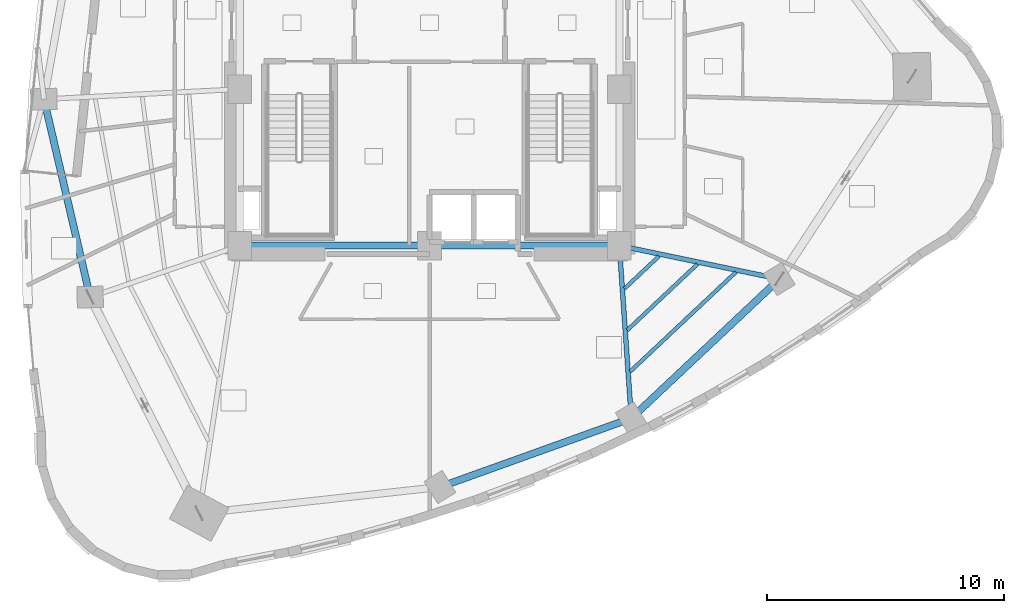
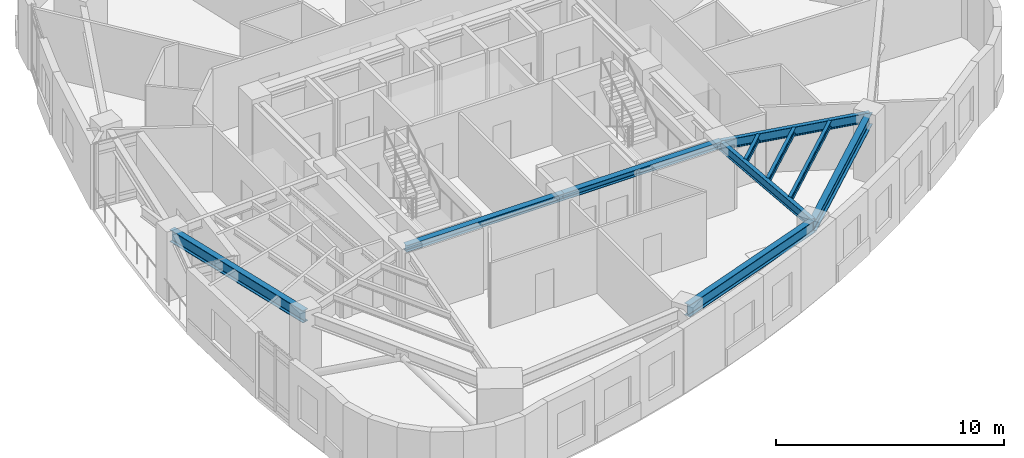
# One storey, part 3 of 16: 10 beams.
"""IFC4 building model written with IfcOpenShell, lengths in metres."""

from ifc_helpers import new_model, si_unit, direction, frame, origin, origin_2d, place, context, subcontext, project, spatial, i_section, extrude, material, material_profile, profile_set, type_object, element, save


model = new_model("IFC4")

# Units and contexts
model_context = context("Model", 3, precision=1e-05, world=origin(), true_north=direction((0.0, 1.0)))
body_context = subcontext(model_context, "Body", "Model", "MODEL_VIEW")
ifc_project = project(units=[si_unit("LENGTHUNIT", "METRE"), si_unit("AREAUNIT", "SQUARE_METRE"), si_unit("VOLUMEUNIT", "CUBIC_METRE"), si_unit("PLANEANGLEUNIT", "RADIAN"), si_unit("MASSUNIT", "GRAM", prefix="KILO")], contexts=[model_context])

# Site, building, storey
site_placement = place(None, origin())
site = spatial("IfcSite", under=ifc_project, at=site_placement, CompositionType="ELEMENT")
building_placement = place(site_placement, origin())
building = spatial("IfcBuilding", under=site, at=building_placement, Name="Ndelora Gate Hotel", CompositionType="ELEMENT")
storey_placement = place(building_placement, frame((0.0, 0.0, 97.25)))
storey = spatial("IfcBuildingStorey", under=building, at=storey_placement, Name="L23", CompositionType="ELEMENT", Elevation=97.25)

# Beams
ifc_material = material(Name="Steel S355", Category="steel")
ifc_material_profile_1 = material_profile(ifc_material, i_section(OverallWidth=0.300048828125, OverallDepth=0.360107421875, WebThickness=0.012451171875, FlangeThickness=0.0224609375, FilletRadius=0.027099609375, at=origin_2d()), Name="HEB 360")
ifc_profile_set_1 = profile_set([ifc_material_profile_1], Name="Steel S355")
beam_type_1 = type_object("IfcBeamType", Name="BM-CORE-360", PredefinedType="BEAM", material=ifc_profile_set_1)
for number, where, z_axis, x_axis, name in (
    (1, (-8.0, -6.60009765625, 3.320068359375), (1.0, 0.0, 0.0), (0.0, 1.0, 0.0), "L23 Core Tie Girder CC1-CC2"),
    (2, (0.0, -6.60009765625, 3.320068359375), (1.0, 0.0, 0.0), (0.0, 1.0, 0.0), "L23 Core Tie Girder CC2-CC3"),
):
    element("IfcBeam", number, at=place(storey_placement, frame(where, z_axis=z_axis, x_axis=x_axis)), inside=storey, type_object=beam_type_1, Name=name, PredefinedType="BEAM", context=body_context, shape_type="SweptSolid", body=[
        extrude(i_section(OverallWidth=0.300048828125, OverallDepth=0.360107421875, WebThickness=0.012451171875, FlangeThickness=0.0224609375, FilletRadius=0.027099609375, at=origin_2d()), origin(), (0.0, 0.0, 1.0), 8.0),
    ])
ifc_material_profile_2 = material_profile(ifc_material, i_section(OverallWidth=0.159912109375, OverallDepth=0.330078125, WebThickness=0.007568359375, FlangeThickness=0.011474609375, FilletRadius=0.01806640625, at=origin_2d()), Name="IPE 330")
ifc_profile_set_2 = profile_set([ifc_material_profile_2], Name="Steel S355")
beam_type_2 = type_object("IfcBeamType", Name="BM-JST-330", PredefinedType="JOIST", material=ifc_profile_set_2)
beam_1_placement = place(storey_placement, frame((8.211181640625, -8.4169921875, 3.3349609375), z_axis=(0.728414088998, 0.685137150466, 0.0), x_axis=(-0.685137150466, 0.728414088998, 0.0)))
element("IfcBeam", 3, at=beam_1_placement, inside=storey, type_object=beam_type_2, Name="L23 Secondary Composite Floor Joist IN-7", PredefinedType="JOIST", context=body_context, shape_type="SweptSolid", body=[
    extrude(i_section(OverallWidth=0.159912109375, OverallDepth=0.330078125, WebThickness=0.007568359375, FlangeThickness=0.011474609375, FilletRadius=0.01806640625, at=origin_2d()), origin(), (0.0, 0.0, 1.0), 2.00830078125),
])
beam_2_placement = place(storey_placement, frame((8.33251953125, -10.163818359375, 3.3349609375), z_axis=(0.728369245526, 0.685184823366, 0.0), x_axis=(-0.685184823366, 0.728369245526, 0.0)))
element("IfcBeam", 4, at=beam_2_placement, inside=storey, type_object=beam_type_2, Name="L23 Secondary Composite Floor Joist MID-7", PredefinedType="JOIST", context=body_context, shape_type="SweptSolid", body=[
    extrude(i_section(OverallWidth=0.159912109375, OverallDepth=0.330078125, WebThickness=0.007568359375, FlangeThickness=0.011474609375, FilletRadius=0.01806640625, at=origin_2d()), origin(), (0.0, 0.0, 1.0), 4.06494140625),
])
beam_3_placement = place(storey_placement, frame((8.45361328125, -11.910400390625, 3.3349609375), z_axis=(0.728393161111, 0.68515939959, 0.0), x_axis=(-0.68515939959, 0.728393161111, 0.0)))
element("IfcBeam", 5, at=beam_3_placement, inside=storey, type_object=beam_type_2, Name="L23 Secondary Composite Floor Joist OUT-7", PredefinedType="JOIST", context=body_context, shape_type="SweptSolid", body=[
    extrude(i_section(OverallWidth=0.159912109375, OverallDepth=0.330078125, WebThickness=0.007568359375, FlangeThickness=0.011474609375, FilletRadius=0.01806640625, at=origin_2d()), origin(), (0.0, 0.0, 1.0), 6.121337890625),
])
ifc_material_profile_3 = material_profile(ifc_material, i_section(OverallWidth=0.199951171875, OverallDepth=0.5, WebThickness=0.01025390625, FlangeThickness=0.01611328125, FilletRadius=0.02099609375, at=origin_2d()), Name="IPE 500")
ifc_profile_set_3 = profile_set([ifc_material_profile_3], Name="Steel S355")
beam_type_3 = type_object("IfcBeamType", Name="BM-RAD-500", PredefinedType="BEAM", material=ifc_profile_set_3)
beam_4_placement = place(storey_placement, frame((8.0, -6.60009765625, 3.25), z_axis=(0.069137444551, -0.997607144001, 0.0), x_axis=(0.997607144001, 0.069137444551, 0.0)))
element("IfcBeam", 6, at=beam_4_placement, inside=storey, type_object=beam_type_3, Name="L23 Radial Floor Girder 7", PredefinedType="BEAM", context=body_context, shape_type="SweptSolid", body=[
    extrude(i_section(OverallWidth=0.199951171875, OverallDepth=0.5, WebThickness=0.01025390625, FlangeThickness=0.01611328125, FilletRadius=0.02099609375, at=origin_2d()), origin(), (0.0, 0.0, 1.0), 7.295654296875),
])
beam_5_placement = place(storey_placement, frame((8.0, -6.60009765625, 3.25), z_axis=(0.978952706778, -0.204087231083, 0.0), x_axis=(0.204087231083, 0.978952706778, 0.0)))
element("IfcBeam", 7, at=beam_5_placement, inside=storey, type_object=beam_type_3, Name="L23 Radial Floor Girder 8", PredefinedType="BEAM", context=body_context, shape_type="SweptSolid", body=[
    extrude(i_section(OverallWidth=0.199951171875, OverallDepth=0.5, WebThickness=0.01025390625, FlangeThickness=0.01611328125, FilletRadius=0.02099609375, at=origin_2d()), origin(), (0.0, 0.0, 1.0), 6.8916015625),
])
ifc_material_profile_4 = material_profile(ifc_material, i_section(OverallWidth=0.300048828125, OverallDepth=0.64990234375, WebThickness=0.01611328125, FlangeThickness=0.031005859375, FilletRadius=0.027099609375, at=origin_2d()), Name="HEB 650")
ifc_profile_set_4 = profile_set([ifc_material_profile_4], Name="Steel S355")
beam_type_4 = type_object("IfcBeamType", Name="BM-RING-650", PredefinedType="SPANDREL", material=ifc_profile_set_4)
beam_6_placement = place(storey_placement, frame((-16.25537109375, -0.42578125, 3.175048828125), z_axis=(0.227404398157, -0.973800410607, 0.0), x_axis=(0.973800410607, 0.227404398157, 0.0)))
element("IfcBeam", 8, at=beam_6_placement, inside=storey, type_object=beam_type_4, Name="L23 Perimeter Spandrel Girder 3", PredefinedType="SPANDREL", context=body_context, shape_type="SweptSolid", body=[
    extrude(i_section(OverallWidth=0.300048828125, OverallDepth=0.64990234375, WebThickness=0.01611328125, FlangeThickness=0.031005859375, FilletRadius=0.027099609375, at=origin_2d()), origin(), (0.0, 0.0, 1.0), 8.566162109375),
])
beam_7_placement = place(storey_placement, frame((0.439208984375, -16.7744140625, 3.175048828125), z_axis=(0.941155870835, 0.337972819607, 0.0), x_axis=(-0.337972819607, 0.941155870835, 0.0)))
element("IfcBeam", 9, at=beam_7_placement, inside=storey, type_object=beam_type_4, Name="L23 Perimeter Spandrel Girder 6", PredefinedType="SPANDREL", context=body_context, shape_type="SweptSolid", body=[
    extrude(i_section(OverallWidth=0.300048828125, OverallDepth=0.64990234375, WebThickness=0.01611328125, FlangeThickness=0.031005859375, FilletRadius=0.027099609375, at=origin_2d()), origin(), (0.0, 0.0, 1.0), 8.5693359375),
])
beam_8_placement = place(storey_placement, frame((8.50439453125, -13.878173828125, 3.175048828125), z_axis=(0.728399016952, 0.68515317419, 0.0), x_axis=(-0.68515317419, 0.728399016952, 0.0)))
element("IfcBeam", 10, at=beam_8_placement, inside=storey, type_object=beam_type_4, Name="L23 Perimeter Spandrel Girder 7", PredefinedType="SPANDREL", context=body_context, shape_type="SweptSolid", body=[
    extrude(i_section(OverallWidth=0.300048828125, OverallDepth=0.64990234375, WebThickness=0.01611328125, FlangeThickness=0.031005859375, FilletRadius=0.027099609375, at=origin_2d()), origin(), (0.0, 0.0, 1.0), 8.56982421875),
])

save(model, "model.ifc")
